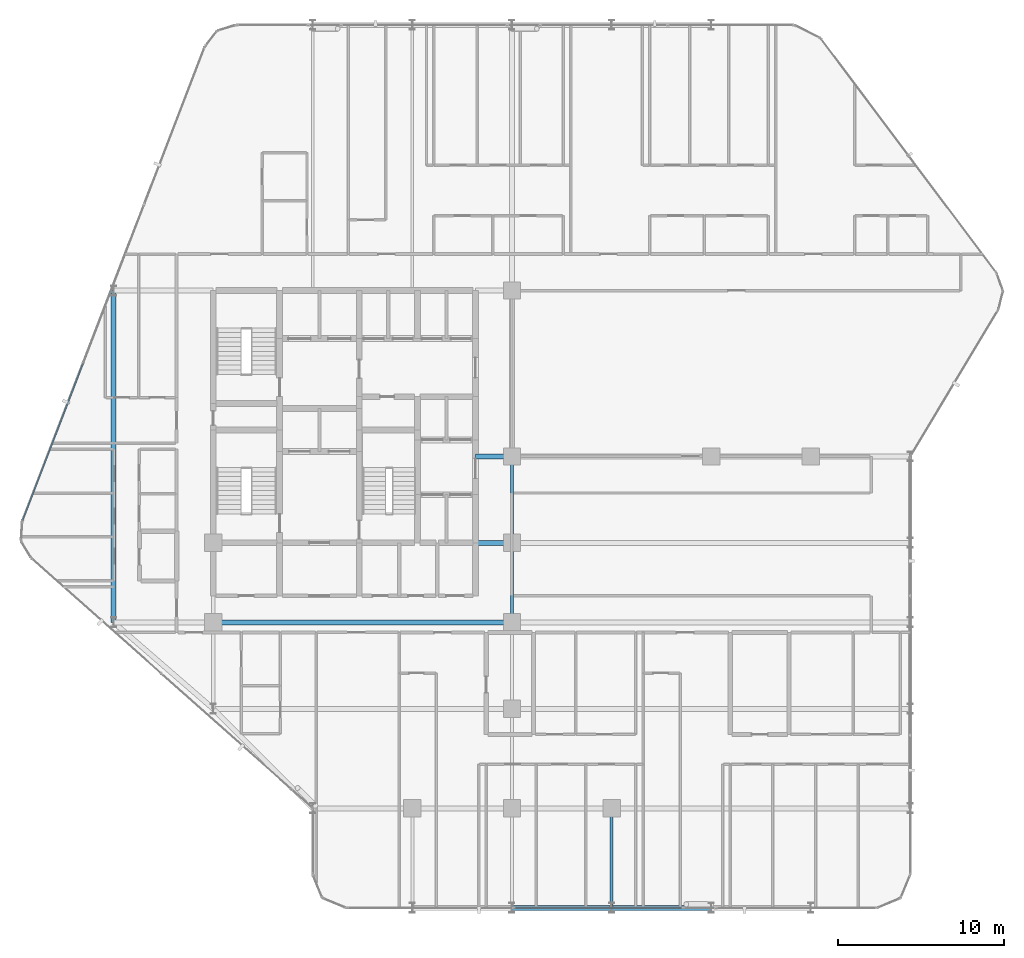
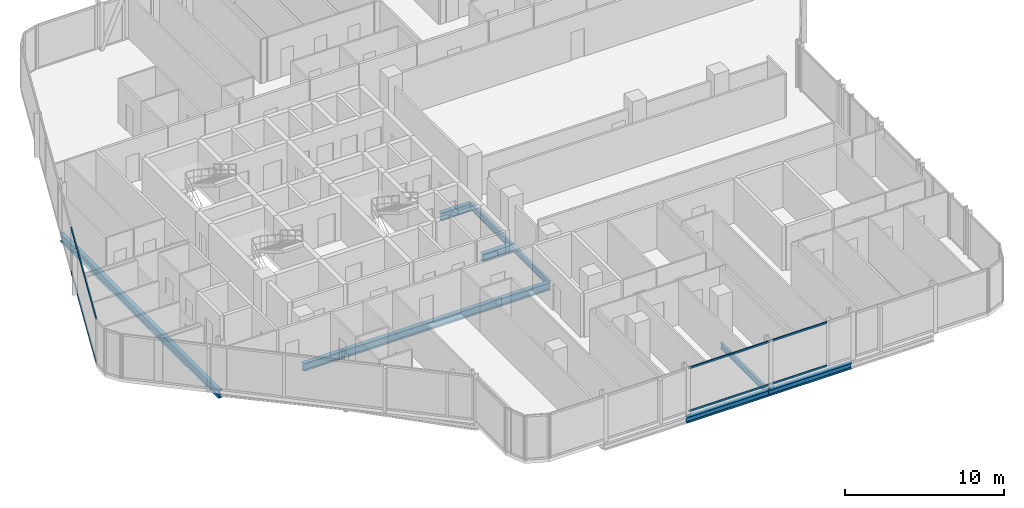
# One storey, part 7 of 30: 9 beams, 4 members, 2 elements without a shape of their own.
"""IFC4 building model written with IfcOpenShell, lengths in metres."""

from ifc_helpers import new_model, si_unit, direction, frame, origin, origin_2d, place, context, subcontext, project, spatial, hollow_rectangle, i_section, extrude, material, layer, layer_set, material_profile, profile_set, type_object, element, aggregate, save


model = new_model("IFC4")

# Units and contexts
model_context = context("Model", 3, precision=1e-05, world=origin(), true_north=direction((0.0, 1.0)))
body_context = subcontext(model_context, "Body", "Model", "MODEL_VIEW")
ifc_project = project(units=[si_unit("LENGTHUNIT", "METRE"), si_unit("AREAUNIT", "SQUARE_METRE"), si_unit("VOLUMEUNIT", "CUBIC_METRE"), si_unit("PLANEANGLEUNIT", "RADIAN"), si_unit("MASSUNIT", "GRAM", prefix="KILO")], contexts=[model_context])

# Site, building, storey
site_placement = place(None, origin())
site = spatial("IfcSite", under=ifc_project, at=site_placement, CompositionType="ELEMENT")
building_placement = place(site_placement, origin())
building = spatial("IfcBuilding", under=site, at=building_placement, Name="Keshet Zoharim Tower", CompositionType="ELEMENT")
storey_placement = place(building_placement, frame((0.0, 0.0, 109.39990234375)))
storey = spatial("IfcBuildingStorey", under=building, at=storey_placement, Name="L26", CompositionType="ELEMENT", Elevation=109.39990234375)

# Beams
ifc_material_1 = material(Name="Steel S355", Category="steel")
ifc_material_profile_1 = material_profile(ifc_material_1, i_section(OverallWidth=0.300048828125, OverallDepth=0.60009765625, WebThickness=0.015380859375, FlangeThickness=0.030029296875, FilletRadius=0.027099609375, at=origin_2d()), Name="HEB600")
ifc_profile_set_1 = profile_set([ifc_material_profile_1], Name="Steel S355")
beam_type_1 = type_object("IfcBeamType", Name="BM-CLK-HB600", PredefinedType="BEAM", material=ifc_profile_set_1)
for number, where, z_axis, x_axis, name in (
    (1, (30.800048828125, 22.699951171875, -0.614990234375), (1.0, 0.0, 0.0), (0.0, 1.0, 0.0), "L26 Core Wall Link Girder 01"),
    (2, (30.800048828125, 27.89990234375, -0.614990234375), (1.0, 0.0, 0.0), (0.0, 1.0, 0.0), "L26 Core Wall Link Girder 02"),
):
    element("IfcBeam", number, at=place(storey_placement, frame(where, z_axis=z_axis, x_axis=x_axis)), inside=storey, type_object=beam_type_1, Name=name, PredefinedType="BEAM", context=body_context, shape_type="SweptSolid", body=[
        extrude(i_section(OverallWidth=0.300048828125, OverallDepth=0.60009765625, WebThickness=0.015380859375, FlangeThickness=0.030029296875, FilletRadius=0.027099609375, at=origin_2d()), origin(), (0.0, 0.0, 1.0), 2.199951171875),
    ])
ifc_material_profile_2 = material_profile(ifc_material_1, i_section(OverallWidth=0.300048828125, OverallDepth=0.60009765625, WebThickness=0.015380859375, FlangeThickness=0.030029296875, FilletRadius=0.027099609375, at=origin_2d()), Name="HEB600")
ifc_profile_set_2 = profile_set([ifc_material_profile_2], Name="Steel S355")
beam_type_2 = type_object("IfcBeamType", Name="BM-LNG-HB600", PredefinedType="BEAM", material=ifc_profile_set_2)
beam_1_placement = place(storey_placement, frame((15.0, 17.89990234375, -0.614990234375), z_axis=(1.0, 0.0, 0.0), x_axis=(0.0, 1.0, 0.0)))
element("IfcBeam", 3, at=beam_1_placement, inside=storey, type_object=beam_type_2, Name="L26 Primary Girder X-012", PredefinedType="BEAM", context=body_context, shape_type="SweptSolid", body=[
    extrude(i_section(OverallWidth=0.300048828125, OverallDepth=0.60009765625, WebThickness=0.015380859375, FlangeThickness=0.030029296875, FilletRadius=0.027099609375, at=origin_2d()), origin(), (0.0, 0.0, 1.0), 18.0),
])
beam_2_placement = place(storey_placement, frame((9.0, 17.89990234375, -0.614990234375), z_axis=(0.0, 1.0, 0.0), x_axis=(-1.0, 0.0, 0.0)))
element("IfcBeam", 4, at=beam_2_placement, inside=storey, type_object=beam_type_2, Name="L26 Primary Girder Y-001", PredefinedType="BEAM", context=body_context, shape_type="SweptSolid", body=[
    extrude(i_section(OverallWidth=0.300048828125, OverallDepth=0.60009765625, WebThickness=0.015380859375, FlangeThickness=0.030029296875, FilletRadius=0.027099609375, at=origin_2d()), origin(), (0.0, 0.0, 1.0), 20.0),
])
ifc_material_profile_3 = material_profile(ifc_material_1, i_section(OverallWidth=0.18994140625, OverallDepth=0.449951171875, WebThickness=0.009521484375, FlangeThickness=0.0146484375, FilletRadius=0.02099609375, at=origin_2d()), Name="IPE450")
ifc_profile_set_3 = profile_set([ifc_material_profile_3], Name="Steel S355")
beam_type_3 = type_object("IfcBeamType", Name="BM-PRI-IP450", PredefinedType="BEAM", material=ifc_profile_set_3)
beam_3_placement = place(storey_placement, frame((33.0, 17.89990234375, -0.539794921875), z_axis=(0.0, 1.0, 0.0), x_axis=(-1.0, 0.0, 0.0)))
element("IfcBeam", 5, at=beam_3_placement, inside=storey, type_object=beam_type_3, Name="L26 Primary Girder Y-008", PredefinedType="BEAM", context=body_context, shape_type="SweptSolid", body=[
    extrude(i_section(OverallWidth=0.18994140625, OverallDepth=0.449951171875, WebThickness=0.009521484375, FlangeThickness=0.0146484375, FilletRadius=0.02099609375, at=origin_2d()), origin(), (0.0, 0.0, 1.0), 4.800048828125),
])
beam_4_placement = place(storey_placement, frame((33.0, 22.699951171875, -0.539794921875), z_axis=(0.0, 1.0, 0.0), x_axis=(-1.0, 0.0, 0.0)))
element("IfcBeam", 6, at=beam_4_placement, inside=storey, type_object=beam_type_3, Name="L26 Primary Girder Y-009", PredefinedType="BEAM", context=body_context, shape_type="SweptSolid", body=[
    extrude(i_section(OverallWidth=0.18994140625, OverallDepth=0.449951171875, WebThickness=0.009521484375, FlangeThickness=0.0146484375, FilletRadius=0.02099609375, at=origin_2d()), origin(), (0.0, 0.0, 1.0), 5.199951171875),
])
beam_5_placement = place(storey_placement, frame((39.0, 0.699951171875, -0.539794921875), z_axis=(0.0, 1.0, 0.0), x_axis=(-1.0, 0.0, 0.0)))
element("IfcBeam", 7, at=beam_5_placement, inside=storey, type_object=beam_type_3, Name="L26 Primary Girder Y-012", PredefinedType="BEAM", context=body_context, shape_type="SweptSolid", body=[
    extrude(i_section(OverallWidth=0.18994140625, OverallDepth=0.449951171875, WebThickness=0.009521484375, FlangeThickness=0.0146484375, FilletRadius=0.02099609375, at=origin_2d()), origin(), (0.0, 0.0, 1.0), 6.0),
])
ifc_material_profile_4 = material_profile(ifc_material_1, i_section(OverallWidth=0.300048828125, OverallDepth=0.449951171875, WebThickness=0.013916015625, FlangeThickness=0.02587890625, FilletRadius=0.027099609375, at=origin_2d()), Name="HEB450")
ifc_profile_set_4 = profile_set([ifc_material_profile_4], Name="Steel S355")
beam_type_4 = type_object("IfcBeamType", Name="BM-WEB-HB450", PredefinedType="BEAM", material=ifc_profile_set_4)
for number, where, z_axis, x_axis, name in (
    (8, (33.0, 0.699951171875, -0.539794921875), (1.0, 0.0, 0.0), (0.0, 1.0, 0.0), "L26 Primary Girder X-002"),
    (9, (39.0, 0.699951171875, -0.539794921875), (1.0, 0.0, 0.0), (0.0, 1.0, 0.0), "L26 Primary Girder X-003"),
):
    element("IfcBeam", number, at=place(storey_placement, frame(where, z_axis=z_axis, x_axis=x_axis)), inside=storey, type_object=beam_type_4, Name=name, PredefinedType="BEAM", context=body_context, shape_type="SweptSolid", body=[
        extrude(i_section(OverallWidth=0.300048828125, OverallDepth=0.449951171875, WebThickness=0.013916015625, FlangeThickness=0.02587890625, FilletRadius=0.027099609375, at=origin_2d()), origin(), (0.0, 0.0, 1.0), 6.0),
    ])

# Curtain wall, members
ifc_material_2 = material(Name="Aluminium 6063-T6", Category="aluminium")
ifc_layer = layer(ifc_material_2, 0.159912109375)
ifc_layer_set = layer_set([ifc_layer], Name="Aluminium 6063-T6")
curtain_wall_type = type_object("IfcCurtainWallType", Name="CW-SYS-03", PredefinedType="NOTDEFINED", material=ifc_layer_set)
curtain_wall_1_placement = place(storey_placement, origin())
curtain_wall_1 = element("IfcCurtainWall", 10, at=curtain_wall_1_placement, inside=storey, type_object=curtain_wall_type, Name="L26 Unitised Curtain Wall 03 Part 3", PredefinedType="NOTDEFINED")
ifc_material_profile_5 = material_profile(ifc_material_2, hollow_rectangle(XDim=0.080078125, YDim=0.139892578125, WallThickness=0.00390625, at=origin_2d()), Name="TRN-80x140")
ifc_profile_set_5 = profile_set([ifc_material_profile_5], Name="Aluminium 6063-T6")
member_type = type_object("IfcMemberType", Name="CWT-T14", PredefinedType="USERDEFINED", material=ifc_profile_set_5)
member_1_placement = place(storey_placement, frame((43.251953125, 0.699951171875, 0.03515625), z_axis=(-1.0, 0.0, 0.0), x_axis=(0.0, -1.0, 0.0)))
member_1 = element("IfcMember", 11, at=member_1_placement, type_object=member_type, Name="CW-03 transom 1.1", ObjectType="TRANSOM", PredefinedType="USERDEFINED", context=body_context, shape_type="SweptSolid", body=[
    extrude(hollow_rectangle(XDim=0.080078125, YDim=0.139892578125, WallThickness=0.00390625, at=origin_2d()), origin(), (0.0, 0.0, 1.0), 10.091064453125),
])
member_2_placement = place(storey_placement, frame((43.251953125, 0.699951171875, 3.35009765625), z_axis=(-1.0, 0.0, 0.0), x_axis=(0.0, -1.0, 0.0)))
member_2 = element("IfcMember", 12, at=member_2_placement, type_object=member_type, Name="CW-03 transom 1.2", ObjectType="TRANSOM", PredefinedType="USERDEFINED", context=body_context, shape_type="SweptSolid", body=[
    extrude(hollow_rectangle(XDim=0.080078125, YDim=0.139892578125, WallThickness=0.00390625, at=origin_2d()), origin(), (0.0, 0.0, 1.0), 10.091064453125),
])
aggregate(curtain_wall_1, [member_1, member_2])

curtain_wall_2_placement = place(storey_placement, origin())
curtain_wall_2 = element("IfcCurtainWall", 13, at=curtain_wall_2_placement, inside=storey, type_object=curtain_wall_type, Name="L26 Unitised Curtain Wall 10", PredefinedType="NOTDEFINED")
member_3_placement = place(storey_placement, frame((3.522216796875, 24.058349609375, 0.03515625), z_axis=(0.358993631387, 0.93334000912, 0.0), x_axis=(-0.93334000912, 0.358993631387, 0.0)))
member_3 = element("IfcMember", 14, at=member_3_placement, type_object=member_type, Name="CW-03 transom 1.1", ObjectType="TRANSOM", PredefinedType="USERDEFINED", context=body_context, shape_type="SweptSolid", body=[
    extrude(hollow_rectangle(XDim=0.080078125, YDim=0.139892578125, WallThickness=0.00390625, at=origin_2d()), origin(), (0.0, 0.0, 1.0), 10.1181640625),
])
member_4_placement = place(storey_placement, frame((3.522216796875, 24.058349609375, 3.35009765625), z_axis=(0.358993631387, 0.93334000912, 0.0), x_axis=(-0.93334000912, 0.358993631387, 0.0)))
member_4 = element("IfcMember", 15, at=member_4_placement, type_object=member_type, Name="CW-03 transom 1.2", ObjectType="TRANSOM", PredefinedType="USERDEFINED", context=body_context, shape_type="SweptSolid", body=[
    extrude(hollow_rectangle(XDim=0.080078125, YDim=0.139892578125, WallThickness=0.00390625, at=origin_2d()), origin(), (0.0, 0.0, 1.0), 10.1181640625),
])
aggregate(curtain_wall_2, [member_3, member_4])

save(model, "model.ifc")
